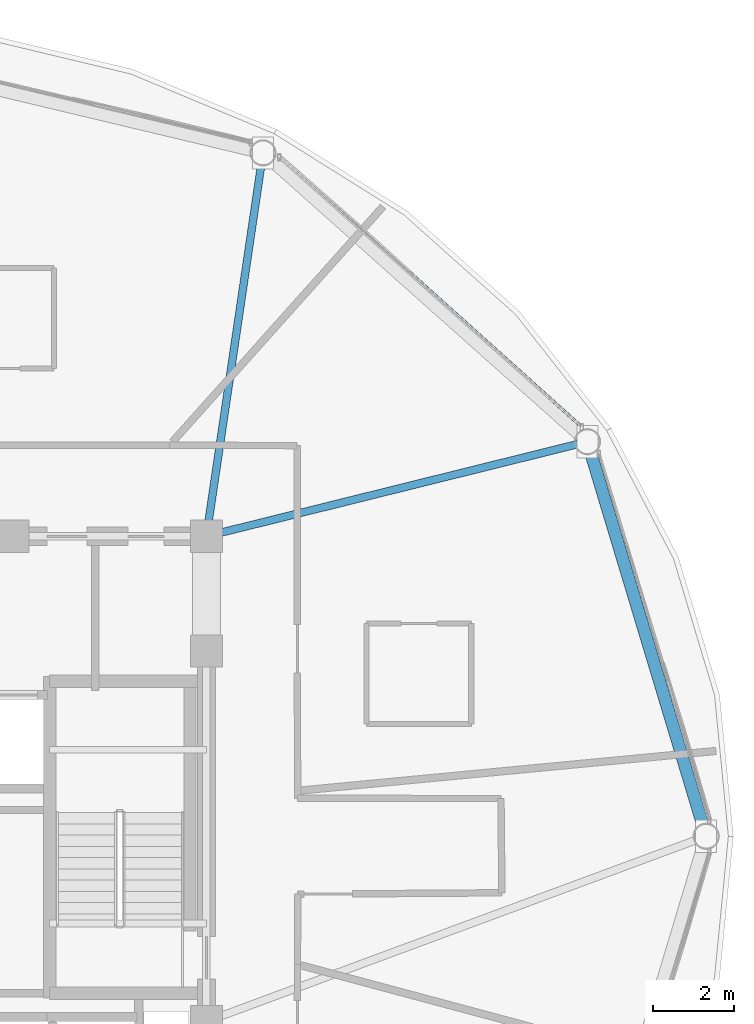
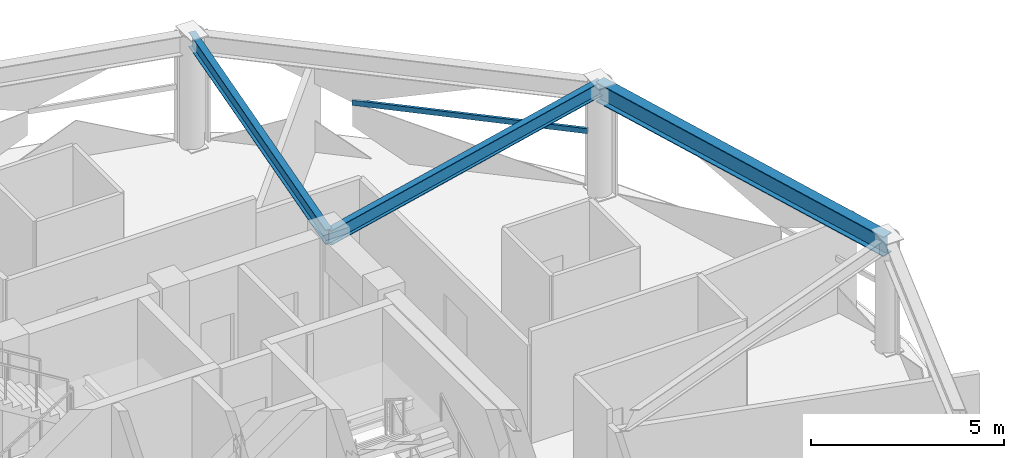
# One storey, part 14 of 28: 3 beams, 1 member, 1 element without a shape of its own.
"""IFC4 building model written with IfcOpenShell, lengths in metres."""

from ifc_helpers import new_model, si_unit, direction, frame, origin, origin_2d, place, context, subcontext, project, spatial, hollow_rectangle, i_section, extrude, material, layer, layer_set, material_profile, profile_set, type_object, element, aggregate, save


model = new_model("IFC4")

# Units and contexts
model_context = context("Model", 3, precision=1e-05, world=origin(), true_north=direction((0.0, 1.0)))
body_context = subcontext(model_context, "Body", "Model", "MODEL_VIEW")
ifc_project = project(units=[si_unit("LENGTHUNIT", "METRE"), si_unit("AREAUNIT", "SQUARE_METRE"), si_unit("VOLUMEUNIT", "CUBIC_METRE"), si_unit("PLANEANGLEUNIT", "RADIAN"), si_unit("MASSUNIT", "GRAM", prefix="KILO")], contexts=[model_context])

# Site, building, storey
site_placement = place(None, origin())
site = spatial("IfcSite", under=ifc_project, at=site_placement, CompositionType="ELEMENT")
building_placement = place(site_placement, origin())
building = spatial("IfcBuilding", under=site, at=building_placement, Name="Vantalir Tower", CompositionType="ELEMENT")
storey_placement = place(building_placement, frame((0.0, 0.0, 223.64990234375)))
storey = spatial("IfcBuildingStorey", under=building, at=storey_placement, Name="L56", CompositionType="ELEMENT", Elevation=223.64990234375)

# Beams
ifc_material_1 = material(Name="Steel S355", Category="steel")
ifc_material_profile_1 = material_profile(ifc_material_1, i_section(OverallWidth=0.19189453125, OverallDepth=0.462890625, WebThickness=0.010498046875, FlangeThickness=0.017578125, at=origin_2d()), Name="Steel S355")
ifc_profile_set_1 = profile_set([ifc_material_profile_1], Name="Steel S355")
beam_type_1 = type_object("IfcBeamType", Name="BM-RB-457x191", PredefinedType="BEAM", material=ifc_profile_set_1)
beam_1_placement = place(storey_placement, frame((50.56396484375, 34.798095703125, 3.338134765625), z_axis=(-0.970571038556, -0.240814989393, 0.0), x_axis=(0.240814989393, -0.970571038556, 0.0)))
element("IfcBeam", 1, at=beam_1_placement, inside=storey, type_object=beam_type_1, Name="L56 Radial Floor Beam 02", PredefinedType="BEAM", context=body_context, shape_type="SweptSolid", body=[
    extrude(i_section(OverallWidth=0.19189453125, OverallDepth=0.462890625, WebThickness=0.010498046875, FlangeThickness=0.017578125, at=origin_2d()), origin(), (0.0, 0.0, 1.0), 9.750732421875),
])
beam_2_placement = place(storey_placement, frame((42.506103515625, 41.970947265625, 3.338134765625), z_axis=(-0.146089890003, -0.989271319729, 0.0), x_axis=(0.989271319729, -0.146089890003, 0.0)))
element("IfcBeam", 2, at=beam_2_placement, inside=storey, type_object=beam_type_1, Name="L56 Radial Floor Beam 03", PredefinedType="BEAM", context=body_context, shape_type="SweptSolid", body=[
    extrude(i_section(OverallWidth=0.19189453125, OverallDepth=0.462890625, WebThickness=0.010498046875, FlangeThickness=0.017578125, at=origin_2d()), origin(), (0.0, 0.0, 1.0), 9.624267578125),
])
ifc_material_2 = material(Name="Steel S460", Category="steel")
ifc_material_profile_2 = material_profile(ifc_material_2, i_section(OverallWidth=0.306884765625, OverallDepth=0.6201171875, WebThickness=0.01416015625, FlangeThickness=0.023681640625, at=origin_2d()), Name="Steel S460")
ifc_profile_set_2 = profile_set([ifc_material_profile_2], Name="Steel S460")
beam_type_2 = type_object("IfcBeamType", Name="BM-RG-610x305", PredefinedType="USERDEFINED", material=ifc_profile_set_2)
beam_3_placement = place(storey_placement, frame((53.512939453125, 25.0, 3.260009765625), z_axis=(-0.288203662464, 0.957569135333, 0.0), x_axis=(-0.957569135333, -0.288203662464, 0.0)))
element("IfcBeam", 3, at=beam_3_placement, inside=storey, type_object=beam_type_2, Name="L56 Circumferential Ring Girder 01", ObjectType="GIRDER", PredefinedType="USERDEFINED", context=body_context, shape_type="SweptSolid", body=[
    extrude(i_section(OverallWidth=0.306884765625, OverallDepth=0.6201171875, WebThickness=0.01416015625, FlangeThickness=0.023681640625, at=origin_2d()), origin(), (0.0, 0.0, 1.0), 10.232177734375),
])

# Curtain wall, member
ifc_material_3 = material(Name="Champagne-silver PVDF aluminium and double-silver Low-E glass", Category="aluminium")
ifc_layer = layer(ifc_material_3, 0.2099609375)
ifc_layer_set = layer_set([ifc_layer], Name="Champagne-silver PVDF aluminium and double-silver Low-E glass")
curtain_wall_type = type_object("IfcCurtainWallType", Name="CW-DIAMOND-Z3", PredefinedType="USERDEFINED", material=ifc_layer_set)
curtain_wall_placement = place(storey_placement, origin())
curtain_wall = element("IfcCurtainWall", 4, at=curtain_wall_placement, inside=storey, type_object=curtain_wall_type, Name="L56 Quilted Pyramid-Diamond Curtain Wall S02", ObjectType="UNITISED CURTAIN WALL", PredefinedType="USERDEFINED")
ifc_material_4 = material(Name="Champagne-silver PVDF aluminium 6063-T6", Category="aluminium")
ifc_material_profile_3 = material_profile(ifc_material_4, hollow_rectangle(XDim=0.074951171875, YDim=0.159912109375, WallThickness=0.00390625, at=origin_2d()), Name="Champagne-silver PVDF aluminium 6063-T6")
ifc_profile_set_3 = profile_set([ifc_material_profile_3], Name="Champagne-silver PVDF aluminium 6063-T6")
member_type = type_object("IfcMemberType", Name="CWT-160x75", PredefinedType="USERDEFINED", material=ifc_profile_set_3)
member_placement = place(storey_placement, frame((50.422119140625, 35.166015625, 1.78515625), z_axis=(-0.744005836406, 0.668173117832, 0.0), x_axis=(-0.668173117832, -0.744005836406, 0.0)))
member = element("IfcMember", 5, at=member_placement, type_object=member_type, Name="CW-L56-S02 Pyramid Fold Ridge Transom", ObjectType="TRANSOM", PredefinedType="USERDEFINED", context=body_context, shape_type="SweptSolid", body=[
    extrude(hollow_rectangle(XDim=0.074951171875, YDim=0.159912109375, WallThickness=0.00390625, at=origin_2d()), origin(), (0.0, 0.0, 1.0), 6.2392578125),
])
aggregate(curtain_wall, [member])

save(model, "model.ifc")
